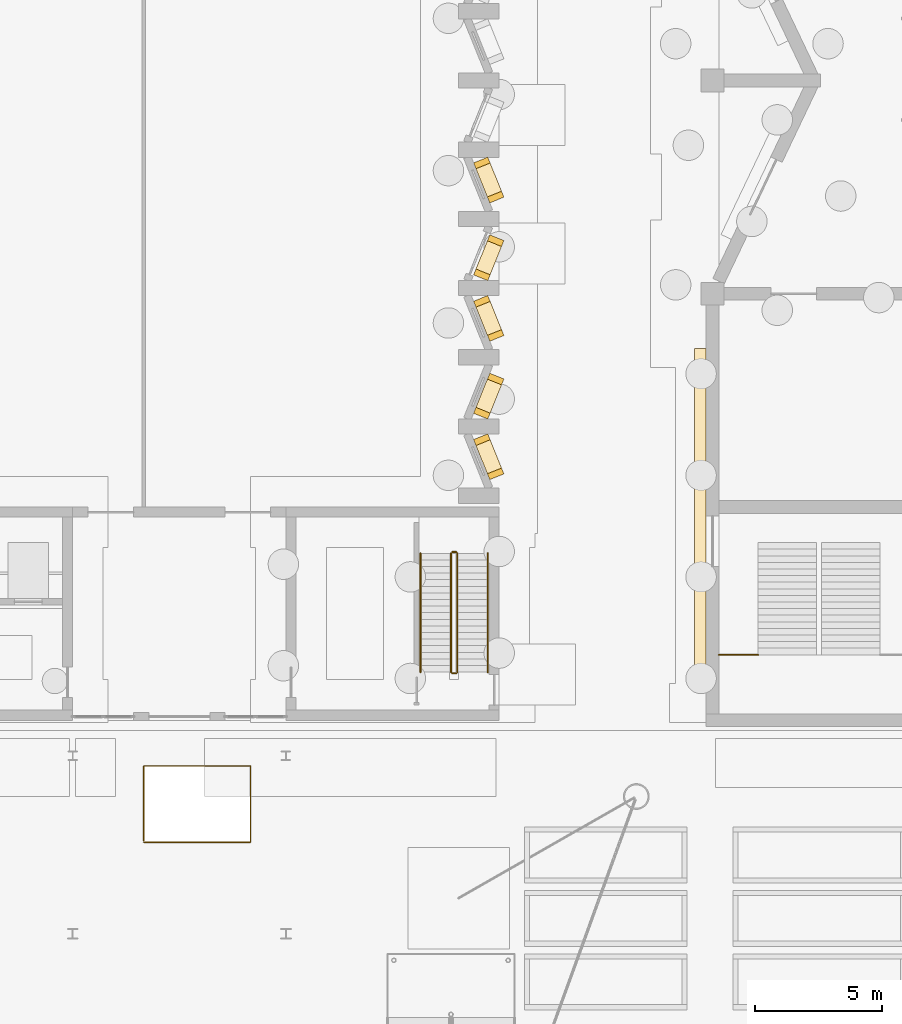
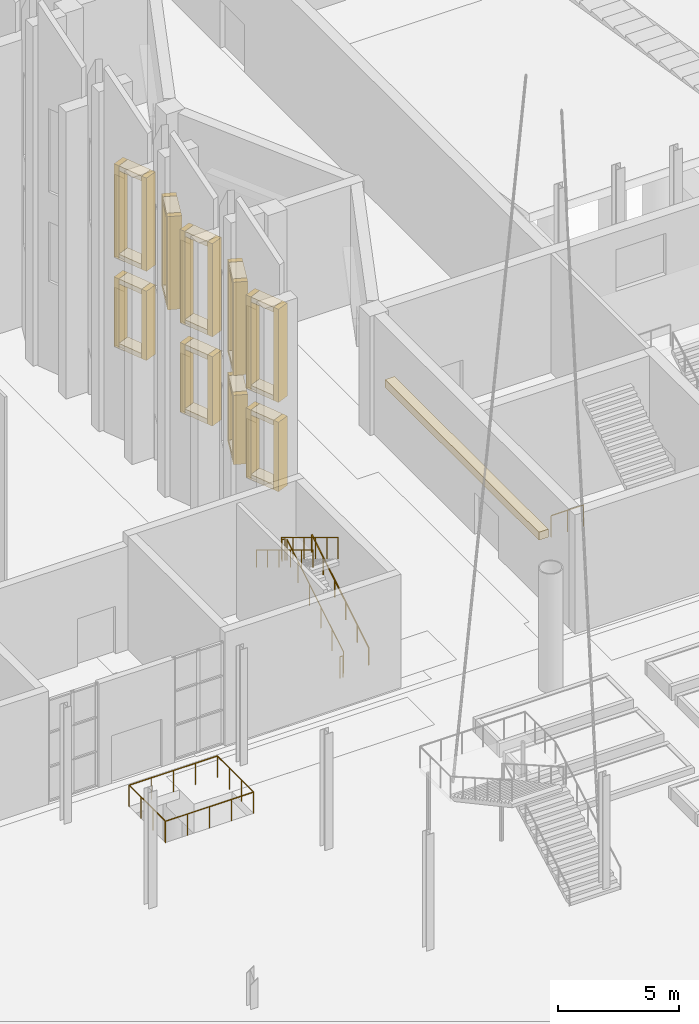
# One storey, part 94 of 108: 37 coverings, 8 railings.
"""IFC4 building model written with IfcOpenShell, lengths in metres."""

from ifc_helpers import new_model, si_unit, direction, frame, origin, origin_2d, place, context, subcontext, project, spatial, rectangle, circle, extrude, material, type_object, element, save


model = new_model("IFC4")

# Units and contexts
model_context = context("Model", 3, precision=1e-05, world=origin(), true_north=direction((0.0, 1.0)))
body_context = subcontext(model_context, "Body", "Model", "MODEL_VIEW")
ifc_project = project(units=[si_unit("LENGTHUNIT", "METRE"), si_unit("AREAUNIT", "SQUARE_METRE"), si_unit("VOLUMEUNIT", "CUBIC_METRE"), si_unit("PLANEANGLEUNIT", "RADIAN"), si_unit("MASSUNIT", "GRAM", prefix="KILO")], contexts=[model_context])

# Site, building, storey
site_placement = place(None, origin())
site = spatial("IfcSite", under=ifc_project, at=site_placement, CompositionType="ELEMENT")
building_placement = place(site_placement, origin())
building = spatial("IfcBuilding", under=site, at=building_placement, Name="Cresset Court Congress Hotel", CompositionType="ELEMENT")
storey_placement = place(building_placement, origin())
storey = spatial("IfcBuildingStorey", under=building, at=storey_placement, Name="L00", CompositionType="ELEMENT", Elevation=0.0)

# Railings
ifc_material_1 = material(Name="Steel and laminated glass", Category="steel")
railing_type_1 = type_object("IfcRailingType", Name="Guard 1100 steel and glass", PredefinedType="GUARDRAIL", material=ifc_material_1)
railing_1_placement = place(storey_placement, frame((59.050048828125, 61.3798828125, 3.0)))
element("IfcRailing", 1, at=railing_1_placement, inside=storey, type_object=railing_type_1, Name="Guard CC-C1L00a", PredefinedType="GUARDRAIL", context=body_context, shape_type="SweptSolid", body=[
    extrude(circle(Radius=0.02490234375, at=origin_2d()), frame((0.0, 0.0, 1.0751953125), z_axis=(1.0, 0.0, 0.0), x_axis=(0.0, 1.0, 0.0)), (0.0, 0.0, 1.0), 1.550048828125),
    extrude(circle(Radius=0.02001953125, at=origin_2d()), origin(), (0.0, 0.0, 1.0), 1.050048828125),
    extrude(circle(Radius=0.02001953125, at=origin_2d()), frame((0.77490234375, 0.0, 0.0)), (0.0, 0.0, 1.0), 1.050048828125),
    extrude(circle(Radius=0.02001953125, at=origin_2d()), frame((1.550048828125, 0.0, 0.0)), (0.0, 0.0, 1.0), 1.050048828125),
])
ifc_material_2 = material(Name="Galvanised steel", Category="steel")
railing_type_2 = type_object("IfcRailingType", Name="Guard 1100 steel balusters", PredefinedType="GUARDRAIL", material=ifc_material_2)
railing_2_placement = place(storey_placement, frame((36.39990234375, 54.0, 0.0)))
element("IfcRailing", 2, at=railing_2_placement, inside=storey, type_object=railing_type_2, Name="Well guard 01", PredefinedType="GUARDRAIL", context=body_context, shape_type="SweptSolid", body=[
    extrude(circle(Radius=0.02490234375, at=origin_2d()), frame((0.0, 0.0, 1.0751953125), z_axis=(1.0, 0.0, 0.0), x_axis=(0.0, 1.0, 0.0)), (0.0, 0.0, 1.0), 4.2001953125),
    extrude(circle(Radius=0.02490234375, at=origin_2d()), frame((4.2001953125, 0.0, 1.0751953125), z_axis=(0.0, 1.0, 0.0), x_axis=(-1.0, 0.0, 0.0)), (0.0, 0.0, 1.0), 3.0),
    extrude(circle(Radius=0.02490234375, at=origin_2d()), frame((4.2001953125, 3.0, 1.0751953125), z_axis=(-1.0, 0.0, 0.0), x_axis=(0.0, -1.0, 0.0)), (0.0, 0.0, 1.0), 4.2001953125),
    extrude(circle(Radius=0.02490234375, at=origin_2d()), frame((0.0, 3.0, 1.0751953125), z_axis=(0.0, -1.0, 0.0), x_axis=(1.0, 0.0, 0.0)), (0.0, 0.0, 1.0), 2.93994140625),
    extrude(circle(Radius=0.02001953125, at=origin_2d()), origin(), (0.0, 0.0, 1.0), 1.050048828125),
    extrude(circle(Radius=0.02001953125, at=origin_2d()), frame((1.050048828125, 0.0, 0.0)), (0.0, 0.0, 1.0), 1.050048828125),
    extrude(circle(Radius=0.02001953125, at=origin_2d()), frame((2.10009765625, 0.0, 0.0)), (0.0, 0.0, 1.0), 1.050048828125),
    extrude(circle(Radius=0.02001953125, at=origin_2d()), frame((3.150146484375, 0.0, 0.0)), (0.0, 0.0, 1.0), 1.050048828125),
    extrude(circle(Radius=0.02001953125, at=origin_2d()), frame((4.2001953125, 0.0, 0.0)), (0.0, 0.0, 1.0), 1.050048828125),
    extrude(circle(Radius=0.02001953125, at=origin_2d()), frame((4.2001953125, 1.0, 0.0)), (0.0, 0.0, 1.0), 1.050048828125),
    extrude(circle(Radius=0.02001953125, at=origin_2d()), frame((4.2001953125, 2.0, 0.0)), (0.0, 0.0, 1.0), 1.050048828125),
    extrude(circle(Radius=0.02001953125, at=origin_2d()), frame((4.2001953125, 3.0, 0.0)), (0.0, 0.0, 1.0), 1.050048828125),
    extrude(circle(Radius=0.02001953125, at=origin_2d()), frame((3.150146484375, 3.0, 0.0)), (0.0, 0.0, 1.0), 1.050048828125),
    extrude(circle(Radius=0.02001953125, at=origin_2d()), frame((2.10009765625, 3.0, 0.0)), (0.0, 0.0, 1.0), 1.050048828125),
    extrude(circle(Radius=0.02001953125, at=origin_2d()), frame((1.050048828125, 3.0, 0.0)), (0.0, 0.0, 1.0), 1.050048828125),
    extrude(circle(Radius=0.02001953125, at=origin_2d()), frame((0.0, 3.0, 0.0)), (0.0, 0.0, 1.0), 1.050048828125),
    extrude(circle(Radius=0.02001953125, at=origin_2d()), frame((0.0, 2.02001953125, 0.0)), (0.0, 0.0, 1.0), 1.050048828125),
    extrude(circle(Radius=0.02001953125, at=origin_2d()), frame((0.0, 1.0400390625, 0.0)), (0.0, 0.0, 1.0), 1.050048828125),
    extrude(circle(Radius=0.02001953125, at=origin_2d()), frame((0.0, 0.06005859375, 0.0)), (0.0, 0.0, 1.0), 1.050048828125),
])
ifc_material_3 = material(Name="Stainless steel", Category="steel")
railing_type_3 = type_object("IfcRailingType", Name="Handrail 900", PredefinedType="HANDRAIL", material=ifc_material_3)
railing_3_placement = place(storey_placement, frame((49.949951171875, 60.699951171875, 0.157958984375)))
element("IfcRailing", 3, at=railing_3_placement, inside=storey, type_object=railing_type_3, Name="L00 ST-D2 stair handrail 1", PredefinedType="HANDRAIL", context=body_context, shape_type="SweptSolid", body=[
    extrude(circle(Radius=0.02392578125, at=origin_2d()), frame((0.0, 0.0, 0.8759765625), z_axis=(0.0, 0.854734527071, 0.519065398802), x_axis=(-1.0, 0.0, 0.0)), (0.0, 0.0, 1.0), 5.475341796875),
    extrude(circle(Radius=0.02099609375, at=origin_2d()), origin(), (0.0, 0.0, 1.0), 0.851806640625),
    extrude(circle(Radius=0.02099609375, at=origin_2d()), frame((0.0, 0.93603515625, 0.568359375)), (0.0, 0.0, 1.0), 0.851806640625),
    extrude(circle(Radius=0.02099609375, at=origin_2d()), frame((0.0, 1.8720703125, 1.13671875)), (0.0, 0.0, 1.0), 0.851806640625),
    extrude(circle(Radius=0.02099609375, at=origin_2d()), frame((0.0, 2.807861328125, 1.705322265625)), (0.0, 0.0, 1.0), 0.851806640625),
    extrude(circle(Radius=0.02099609375, at=origin_2d()), frame((0.0, 3.743896484375, 2.273681640625)), (0.0, 0.0, 1.0), 0.851806640625),
    extrude(circle(Radius=0.02099609375, at=origin_2d()), frame((0.0, 4.679931640625, 2.842041015625)), (0.0, 0.0, 1.0), 0.851806640625),
])
railing_4_placement = place(storey_placement, frame((47.300048828125, 65.3798828125, 3.157958984375)))
element("IfcRailing", 4, at=railing_4_placement, inside=storey, type_object=railing_type_3, Name="L00 ST-D2 stair handrail 2", PredefinedType="HANDRAIL", context=body_context, shape_type="SweptSolid", body=[
    extrude(circle(Radius=0.02392578125, at=origin_2d()), frame((0.0, 0.0, 0.8759765625), z_axis=(0.0, -0.854734527071, 0.519065398802), x_axis=(1.0, 0.0, 0.0)), (0.0, 0.0, 1.0), 5.475341796875),
    extrude(circle(Radius=0.02099609375, at=origin_2d()), origin(), (0.0, 0.0, 1.0), 0.851806640625),
    extrude(circle(Radius=0.02099609375, at=origin_2d()), frame((0.0, -0.93603515625, 0.568359375)), (0.0, 0.0, 1.0), 0.851806640625),
    extrude(circle(Radius=0.02099609375, at=origin_2d()), frame((0.0, -1.8720703125, 1.13671875)), (0.0, 0.0, 1.0), 0.851806640625),
    extrude(circle(Radius=0.02099609375, at=origin_2d()), frame((0.0, -2.807861328125, 1.705322265625)), (0.0, 0.0, 1.0), 0.851806640625),
    extrude(circle(Radius=0.02099609375, at=origin_2d()), frame((0.0, -3.743896484375, 2.273681640625)), (0.0, 0.0, 1.0), 0.851806640625),
    extrude(circle(Radius=0.02099609375, at=origin_2d()), frame((0.0, -4.679931640625, 2.842041015625)), (0.0, 0.0, 1.0), 0.851806640625),
])

# Coverings
ifc_material_4 = material(Name="Precast concrete C50", Category="concrete")
covering_type_1 = type_object("IfcCoveringType", Name="Precast reveal band 450x400", PredefinedType="CLADDING", material=ifc_material_4)
covering_placement = place(storey_placement, frame((58.324951171875, 67.10009765625, 3.550048828125), z_axis=(0.0, 0.0, 1.0), x_axis=(0.0, 1.0, 0.0)))
element("IfcCovering", 5, at=covering_placement, inside=storey, type_object=covering_type_1, Name="Reveal band W.L00.04a.1", PredefinedType="CLADDING", context=body_context, shape_type="SweptSolid", body=[
    extrude(rectangle(XDim=12.699951171875, YDim=0.449951171875, at=origin_2d()), origin(), (0.0, 0.0, 1.0), 0.39990234375),
])
ifc_material_5 = material(Name="Precast concrete C50", Category="concrete")
covering_type_2 = type_object("IfcCoveringType", Name="Precast reveal frame member 250x600", PredefinedType="CLADDING", material=ifc_material_5)
for number, where, z_axis, x_axis, name in (
    (6, (50.259521484375, 68.5087890625, 4.25), (0.0, 0.0, 1.0), (-0.37462277577, 0.927177316307, 0.0), "Reveal frame win.L00.23a"),
    (7, (49.71630859375, 69.853271484375, 4.25), (0.0, 0.0, 1.0), (-0.37462277577, 0.927177316307, 0.0), "Reveal frame win.L00.23b"),
):
    element("IfcCovering", number, at=place(storey_placement, frame(where, z_axis=z_axis, x_axis=x_axis)), inside=storey, type_object=covering_type_2, Name=name, PredefinedType="CLADDING", context=body_context, shape_type="SweptSolid", body=[
        extrude(rectangle(XDim=0.25, YDim=0.60009765625, at=origin_2d()), origin(), (0.0, 0.0, 1.0), 3.5),
    ])
for number, where, z_axis, x_axis, name in (
    (8, (49.98779296875, 69.18115234375, 7.5), (0.0, 0.0, 1.0), (-0.37462277577, 0.927177316307, 0.0), "Reveal frame win.L00.23c"),
    (9, (49.98779296875, 69.18115234375, 4.25), (0.0, 0.0, 1.0), (-0.37462277577, 0.927177316307, 0.0), "Reveal frame win.L00.23d"),
):
    element("IfcCovering", number, at=place(storey_placement, frame(where, z_axis=z_axis, x_axis=x_axis)), inside=storey, type_object=covering_type_2, Name=name, PredefinedType="CLADDING", context=body_context, shape_type="SweptSolid", body=[
        extrude(rectangle(XDim=1.199951171875, YDim=0.60009765625, at=origin_2d()), origin(), (0.0, 0.0, 1.0), 0.25),
    ])
for number, where, z_axis, x_axis, name in (
    (10, (50.259521484375, 68.5087890625, 8.75), (0.0, 0.0, 1.0), (-0.37462277577, 0.927177316307, 0.0), "Reveal frame win.L00.24a"),
    (11, (49.71630859375, 69.853271484375, 8.75), (0.0, 0.0, 1.0), (-0.37462277577, 0.927177316307, 0.0), "Reveal frame win.L00.24b"),
):
    element("IfcCovering", number, at=place(storey_placement, frame(where, z_axis=z_axis, x_axis=x_axis)), inside=storey, type_object=covering_type_2, Name=name, PredefinedType="CLADDING", context=body_context, shape_type="SweptSolid", body=[
        extrude(rectangle(XDim=0.25, YDim=0.60009765625, at=origin_2d()), origin(), (0.0, 0.0, 1.0), 4.699951171875),
    ])
for number, where, z_axis, x_axis, name in (
    (12, (49.98779296875, 69.18115234375, 13.199951171875), (0.0, 0.0, 1.0), (-0.37462277577, 0.927177316307, 0.0), "Reveal frame win.L00.24c"),
    (13, (49.98779296875, 69.18115234375, 8.75), (0.0, 0.0, 1.0), (-0.37462277577, 0.927177316307, 0.0), "Reveal frame win.L00.24d"),
):
    element("IfcCovering", number, at=place(storey_placement, frame(where, z_axis=z_axis, x_axis=x_axis)), inside=storey, type_object=covering_type_2, Name=name, PredefinedType="CLADDING", context=body_context, shape_type="SweptSolid", body=[
        extrude(rectangle(XDim=1.199951171875, YDim=0.60009765625, at=origin_2d()), origin(), (0.0, 0.0, 1.0), 0.25),
    ])
for number, where, z_axis, x_axis, name in (
    (14, (49.71630859375, 70.896728515625, 4.25), (0.0, 0.0, 1.0), (0.37462277577, 0.927177316307, 0.0), "Reveal frame win.L00.25a"),
    (15, (50.259521484375, 72.2412109375, 4.25), (0.0, 0.0, 1.0), (0.37462277577, 0.927177316307, 0.0), "Reveal frame win.L00.25b"),
):
    element("IfcCovering", number, at=place(storey_placement, frame(where, z_axis=z_axis, x_axis=x_axis)), inside=storey, type_object=covering_type_2, Name=name, PredefinedType="CLADDING", context=body_context, shape_type="SweptSolid", body=[
        extrude(rectangle(XDim=0.25, YDim=0.60009765625, at=origin_2d()), origin(), (0.0, 0.0, 1.0), 3.5),
    ])
for number, where, z_axis, x_axis, name in (
    (16, (49.98779296875, 71.569091796875, 7.5), (0.0, 0.0, 1.0), (0.37462277577, 0.927177316307, 0.0), "Reveal frame win.L00.25c"),
    (17, (49.98779296875, 71.569091796875, 4.25), (0.0, 0.0, 1.0), (0.37462277577, 0.927177316307, 0.0), "Reveal frame win.L00.25d"),
):
    element("IfcCovering", number, at=place(storey_placement, frame(where, z_axis=z_axis, x_axis=x_axis)), inside=storey, type_object=covering_type_2, Name=name, PredefinedType="CLADDING", context=body_context, shape_type="SweptSolid", body=[
        extrude(rectangle(XDim=1.199951171875, YDim=0.60009765625, at=origin_2d()), origin(), (0.0, 0.0, 1.0), 0.25),
    ])
for number, where, z_axis, x_axis, name in (
    (18, (49.71630859375, 70.896728515625, 8.75), (0.0, 0.0, 1.0), (0.37462277577, 0.927177316307, 0.0), "Reveal frame win.L00.26a"),
    (19, (50.259521484375, 72.2412109375, 8.75), (0.0, 0.0, 1.0), (0.37462277577, 0.927177316307, 0.0), "Reveal frame win.L00.26b"),
):
    element("IfcCovering", number, at=place(storey_placement, frame(where, z_axis=z_axis, x_axis=x_axis)), inside=storey, type_object=covering_type_2, Name=name, PredefinedType="CLADDING", context=body_context, shape_type="SweptSolid", body=[
        extrude(rectangle(XDim=0.25, YDim=0.60009765625, at=origin_2d()), origin(), (0.0, 0.0, 1.0), 4.699951171875),
    ])
for number, where, z_axis, x_axis, name in (
    (20, (49.98779296875, 71.569091796875, 13.199951171875), (0.0, 0.0, 1.0), (0.37462277577, 0.927177316307, 0.0), "Reveal frame win.L00.26c"),
    (21, (49.98779296875, 71.569091796875, 8.75), (0.0, 0.0, 1.0), (0.37462277577, 0.927177316307, 0.0), "Reveal frame win.L00.26d"),
):
    element("IfcCovering", number, at=place(storey_placement, frame(where, z_axis=z_axis, x_axis=x_axis)), inside=storey, type_object=covering_type_2, Name=name, PredefinedType="CLADDING", context=body_context, shape_type="SweptSolid", body=[
        extrude(rectangle(XDim=1.199951171875, YDim=0.60009765625, at=origin_2d()), origin(), (0.0, 0.0, 1.0), 0.25),
    ])
for number, where, z_axis, x_axis, name in (
    (22, (50.259521484375, 73.958984375, 4.25), (0.0, 0.0, 1.0), (-0.37462277577, 0.927177316307, 0.0), "Reveal frame win.L00.27a"),
    (23, (49.71630859375, 75.30322265625, 4.25), (0.0, 0.0, 1.0), (-0.37462277577, 0.927177316307, 0.0), "Reveal frame win.L00.27b"),
):
    element("IfcCovering", number, at=place(storey_placement, frame(where, z_axis=z_axis, x_axis=x_axis)), inside=storey, type_object=covering_type_2, Name=name, PredefinedType="CLADDING", context=body_context, shape_type="SweptSolid", body=[
        extrude(rectangle(XDim=0.25, YDim=0.60009765625, at=origin_2d()), origin(), (0.0, 0.0, 1.0), 3.5),
    ])
for number, where, z_axis, x_axis, name in (
    (24, (49.98779296875, 74.631103515625, 7.5), (0.0, 0.0, 1.0), (-0.37462277577, 0.927177316307, 0.0), "Reveal frame win.L00.27c"),
    (25, (49.98779296875, 74.631103515625, 4.25), (0.0, 0.0, 1.0), (-0.37462277577, 0.927177316307, 0.0), "Reveal frame win.L00.27d"),
):
    element("IfcCovering", number, at=place(storey_placement, frame(where, z_axis=z_axis, x_axis=x_axis)), inside=storey, type_object=covering_type_2, Name=name, PredefinedType="CLADDING", context=body_context, shape_type="SweptSolid", body=[
        extrude(rectangle(XDim=1.199951171875, YDim=0.60009765625, at=origin_2d()), origin(), (0.0, 0.0, 1.0), 0.25),
    ])
for number, where, z_axis, x_axis, name in (
    (26, (50.259521484375, 73.958984375, 8.75), (0.0, 0.0, 1.0), (-0.37462277577, 0.927177316307, 0.0), "Reveal frame win.L00.28a"),
    (27, (49.71630859375, 75.30322265625, 8.75), (0.0, 0.0, 1.0), (-0.37462277577, 0.927177316307, 0.0), "Reveal frame win.L00.28b"),
):
    element("IfcCovering", number, at=place(storey_placement, frame(where, z_axis=z_axis, x_axis=x_axis)), inside=storey, type_object=covering_type_2, Name=name, PredefinedType="CLADDING", context=body_context, shape_type="SweptSolid", body=[
        extrude(rectangle(XDim=0.25, YDim=0.60009765625, at=origin_2d()), origin(), (0.0, 0.0, 1.0), 4.699951171875),
    ])
for number, where, z_axis, x_axis, name in (
    (28, (49.98779296875, 74.631103515625, 13.199951171875), (0.0, 0.0, 1.0), (-0.37462277577, 0.927177316307, 0.0), "Reveal frame win.L00.28c"),
    (29, (49.98779296875, 74.631103515625, 8.75), (0.0, 0.0, 1.0), (-0.37462277577, 0.927177316307, 0.0), "Reveal frame win.L00.28d"),
):
    element("IfcCovering", number, at=place(storey_placement, frame(where, z_axis=z_axis, x_axis=x_axis)), inside=storey, type_object=covering_type_2, Name=name, PredefinedType="CLADDING", context=body_context, shape_type="SweptSolid", body=[
        extrude(rectangle(XDim=1.199951171875, YDim=0.60009765625, at=origin_2d()), origin(), (0.0, 0.0, 1.0), 0.25),
    ])
for number, where, z_axis, x_axis, name in (
    (30, (49.71630859375, 76.3466796875, 8.75), (0.0, 0.0, 1.0), (0.37462277577, 0.927177316307, 0.0), "Reveal frame win.L00.29a"),
    (31, (50.259521484375, 77.691162109375, 8.75), (0.0, 0.0, 1.0), (0.37462277577, 0.927177316307, 0.0), "Reveal frame win.L00.29b"),
):
    element("IfcCovering", number, at=place(storey_placement, frame(where, z_axis=z_axis, x_axis=x_axis)), inside=storey, type_object=covering_type_2, Name=name, PredefinedType="CLADDING", context=body_context, shape_type="SweptSolid", body=[
        extrude(rectangle(XDim=0.25, YDim=0.60009765625, at=origin_2d()), origin(), (0.0, 0.0, 1.0), 4.699951171875),
    ])
for number, where, z_axis, x_axis, name in (
    (32, (49.98779296875, 77.01904296875, 13.199951171875), (0.0, 0.0, 1.0), (0.37462277577, 0.927177316307, 0.0), "Reveal frame win.L00.29c"),
    (33, (49.98779296875, 77.01904296875, 8.75), (0.0, 0.0, 1.0), (0.37462277577, 0.927177316307, 0.0), "Reveal frame win.L00.29d"),
):
    element("IfcCovering", number, at=place(storey_placement, frame(where, z_axis=z_axis, x_axis=x_axis)), inside=storey, type_object=covering_type_2, Name=name, PredefinedType="CLADDING", context=body_context, shape_type="SweptSolid", body=[
        extrude(rectangle(XDim=1.199951171875, YDim=0.60009765625, at=origin_2d()), origin(), (0.0, 0.0, 1.0), 0.25),
    ])
for number, where, z_axis, x_axis, name in (
    (34, (50.259521484375, 79.408935546875, 4.25), (0.0, 0.0, 1.0), (-0.37462277577, 0.927177316307, 0.0), "Reveal frame win.L00.30a"),
    (35, (49.71630859375, 80.75341796875, 4.25), (0.0, 0.0, 1.0), (-0.37462277577, 0.927177316307, 0.0), "Reveal frame win.L00.30b"),
):
    element("IfcCovering", number, at=place(storey_placement, frame(where, z_axis=z_axis, x_axis=x_axis)), inside=storey, type_object=covering_type_2, Name=name, PredefinedType="CLADDING", context=body_context, shape_type="SweptSolid", body=[
        extrude(rectangle(XDim=0.25, YDim=0.60009765625, at=origin_2d()), origin(), (0.0, 0.0, 1.0), 3.5),
    ])
for number, where, z_axis, x_axis, name in (
    (36, (49.98779296875, 80.0810546875, 7.5), (0.0, 0.0, 1.0), (-0.37462277577, 0.927177316307, 0.0), "Reveal frame win.L00.30c"),
    (37, (49.98779296875, 80.0810546875, 4.25), (0.0, 0.0, 1.0), (-0.37462277577, 0.927177316307, 0.0), "Reveal frame win.L00.30d"),
):
    element("IfcCovering", number, at=place(storey_placement, frame(where, z_axis=z_axis, x_axis=x_axis)), inside=storey, type_object=covering_type_2, Name=name, PredefinedType="CLADDING", context=body_context, shape_type="SweptSolid", body=[
        extrude(rectangle(XDim=1.199951171875, YDim=0.60009765625, at=origin_2d()), origin(), (0.0, 0.0, 1.0), 0.25),
    ])
for number, where, z_axis, x_axis, name in (
    (38, (50.259521484375, 79.408935546875, 8.75), (0.0, 0.0, 1.0), (-0.37462277577, 0.927177316307, 0.0), "Reveal frame win.L00.31a"),
    (39, (49.71630859375, 80.75341796875, 8.75), (0.0, 0.0, 1.0), (-0.37462277577, 0.927177316307, 0.0), "Reveal frame win.L00.31b"),
):
    element("IfcCovering", number, at=place(storey_placement, frame(where, z_axis=z_axis, x_axis=x_axis)), inside=storey, type_object=covering_type_2, Name=name, PredefinedType="CLADDING", context=body_context, shape_type="SweptSolid", body=[
        extrude(rectangle(XDim=0.25, YDim=0.60009765625, at=origin_2d()), origin(), (0.0, 0.0, 1.0), 4.699951171875),
    ])
for number, where, z_axis, x_axis, name in (
    (40, (49.98779296875, 80.0810546875, 13.199951171875), (0.0, 0.0, 1.0), (-0.37462277577, 0.927177316307, 0.0), "Reveal frame win.L00.31c"),
    (41, (49.98779296875, 80.0810546875, 8.75), (0.0, 0.0, 1.0), (-0.37462277577, 0.927177316307, 0.0), "Reveal frame win.L00.31d"),
):
    element("IfcCovering", number, at=place(storey_placement, frame(where, z_axis=z_axis, x_axis=x_axis)), inside=storey, type_object=covering_type_2, Name=name, PredefinedType="CLADDING", context=body_context, shape_type="SweptSolid", body=[
        extrude(rectangle(XDim=1.199951171875, YDim=0.60009765625, at=origin_2d()), origin(), (0.0, 0.0, 1.0), 0.25),
    ])

# Railings
ifc_material_6 = material(Name="Stainless steel", Category="steel")
railing_type_4 = type_object("IfcRailingType", Name="Stair guard 1100 internal", PredefinedType="GUARDRAIL", material=ifc_material_6)
railing_5_placement = place(storey_placement, frame((48.75, 60.699951171875, 0.157958984375)))
element("IfcRailing", 42, at=railing_5_placement, inside=storey, type_object=railing_type_4, Name="L00 ST-D2 stair guard 1", PredefinedType="GUARDRAIL", context=body_context, shape_type="SweptSolid", body=[
    extrude(circle(Radius=0.02392578125, at=origin_2d()), frame((0.0, 0.0, 1.076171875), z_axis=(0.0, 0.854734527071, 0.519065398802), x_axis=(-1.0, 0.0, 0.0)), (0.0, 0.0, 1.0), 5.475341796875),
    extrude(circle(Radius=0.02099609375, at=origin_2d()), origin(), (0.0, 0.0, 1.0), 1.052001953125),
    extrude(circle(Radius=0.02099609375, at=origin_2d()), frame((0.0, 0.93603515625, 0.568359375)), (0.0, 0.0, 1.0), 1.052001953125),
    extrude(circle(Radius=0.02099609375, at=origin_2d()), frame((0.0, 1.8720703125, 1.13671875)), (0.0, 0.0, 1.0), 1.052001953125),
    extrude(circle(Radius=0.02099609375, at=origin_2d()), frame((0.0, 2.807861328125, 1.705322265625)), (0.0, 0.0, 1.0), 1.052001953125),
    extrude(circle(Radius=0.02099609375, at=origin_2d()), frame((0.0, 3.743896484375, 2.273681640625)), (0.0, 0.0, 1.0), 1.052001953125),
    extrude(circle(Radius=0.02099609375, at=origin_2d()), frame((0.0, 4.679931640625, 2.842041015625)), (0.0, 0.0, 1.0), 1.052001953125),
])
railing_6_placement = place(storey_placement, frame((48.699951171875, 65.429931640625, 3.0)))
element("IfcRailing", 43, at=railing_6_placement, inside=storey, type_object=railing_type_4, Name="L00 ST-D2 stair guard 2", PredefinedType="GUARDRAIL", context=body_context, shape_type="SweptSolid", body=[
    extrude(circle(Radius=0.02392578125, at=origin_2d()), frame((0.0, 0.0, 1.076171875), z_axis=(-1.0, 0.0, 0.0), x_axis=(0.0, -1.0, 0.0)), (0.0, 0.0, 1.0), 0.14990234375),
    extrude(circle(Radius=0.02099609375, at=origin_2d()), origin(), (0.0, 0.0, 1.0), 1.052001953125),
    extrude(circle(Radius=0.02099609375, at=origin_2d()), frame((-0.14990234375, 0.0, 0.0)), (0.0, 0.0, 1.0), 1.052001953125),
])
railing_7_placement = place(storey_placement, frame((48.5, 65.3798828125, 3.157958984375)))
element("IfcRailing", 44, at=railing_7_placement, inside=storey, type_object=railing_type_4, Name="L00 ST-D2 stair guard 3", PredefinedType="GUARDRAIL", context=body_context, shape_type="SweptSolid", body=[
    extrude(circle(Radius=0.02392578125, at=origin_2d()), frame((0.0, 0.0, 1.076171875), z_axis=(0.0, -0.854734527071, 0.519065398802), x_axis=(1.0, 0.0, 0.0)), (0.0, 0.0, 1.0), 5.475341796875),
    extrude(circle(Radius=0.02099609375, at=origin_2d()), origin(), (0.0, 0.0, 1.0), 1.052001953125),
    extrude(circle(Radius=0.02099609375, at=origin_2d()), frame((0.0, -0.93603515625, 0.568359375)), (0.0, 0.0, 1.0), 1.052001953125),
    extrude(circle(Radius=0.02099609375, at=origin_2d()), frame((0.0, -1.8720703125, 1.13671875)), (0.0, 0.0, 1.0), 1.052001953125),
    extrude(circle(Radius=0.02099609375, at=origin_2d()), frame((0.0, -2.807861328125, 1.705322265625)), (0.0, 0.0, 1.0), 1.052001953125),
    extrude(circle(Radius=0.02099609375, at=origin_2d()), frame((0.0, -3.743896484375, 2.273681640625)), (0.0, 0.0, 1.0), 1.052001953125),
    extrude(circle(Radius=0.02099609375, at=origin_2d()), frame((0.0, -4.679931640625, 2.842041015625)), (0.0, 0.0, 1.0), 1.052001953125),
])
railing_8_placement = place(storey_placement, frame((48.699951171875, 60.64990234375, 0.0)))
element("IfcRailing", 45, at=railing_8_placement, inside=storey, type_object=railing_type_4, Name="L00 ST-D2 stair guard 4", PredefinedType="GUARDRAIL", context=body_context, shape_type="SweptSolid", body=[
    extrude(circle(Radius=0.02392578125, at=origin_2d()), frame((0.0, 0.0, 1.076171875), z_axis=(-1.0, 0.0, 0.0), x_axis=(0.0, -1.0, 0.0)), (0.0, 0.0, 1.0), 0.14990234375),
    extrude(circle(Radius=0.02099609375, at=origin_2d()), origin(), (0.0, 0.0, 1.0), 1.052001953125),
    extrude(circle(Radius=0.02099609375, at=origin_2d()), frame((-0.14990234375, 0.0, 0.0)), (0.0, 0.0, 1.0), 1.052001953125),
])

save(model, "model.ifc")
